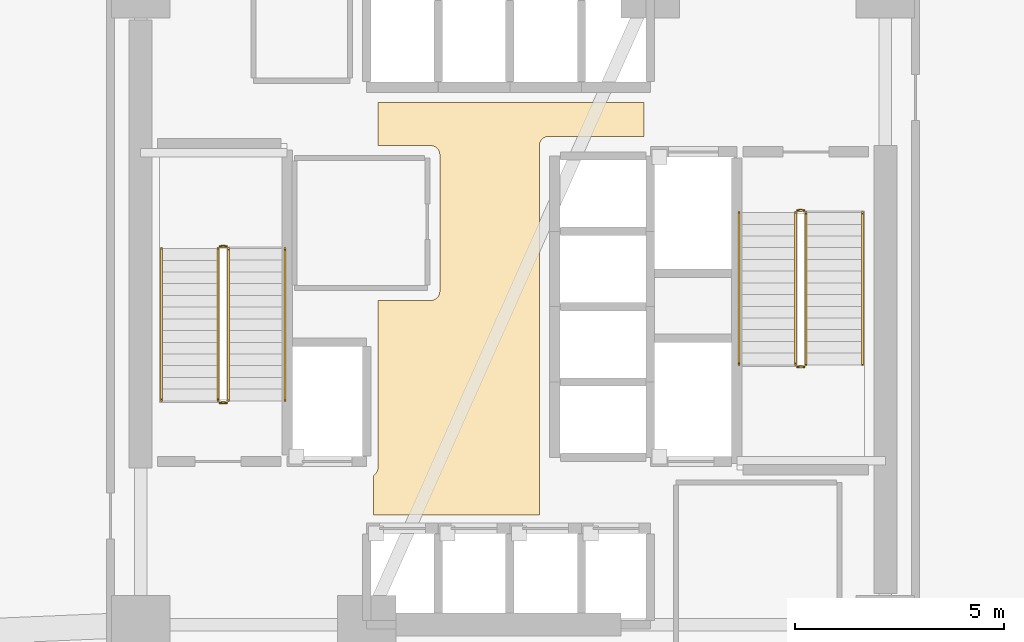
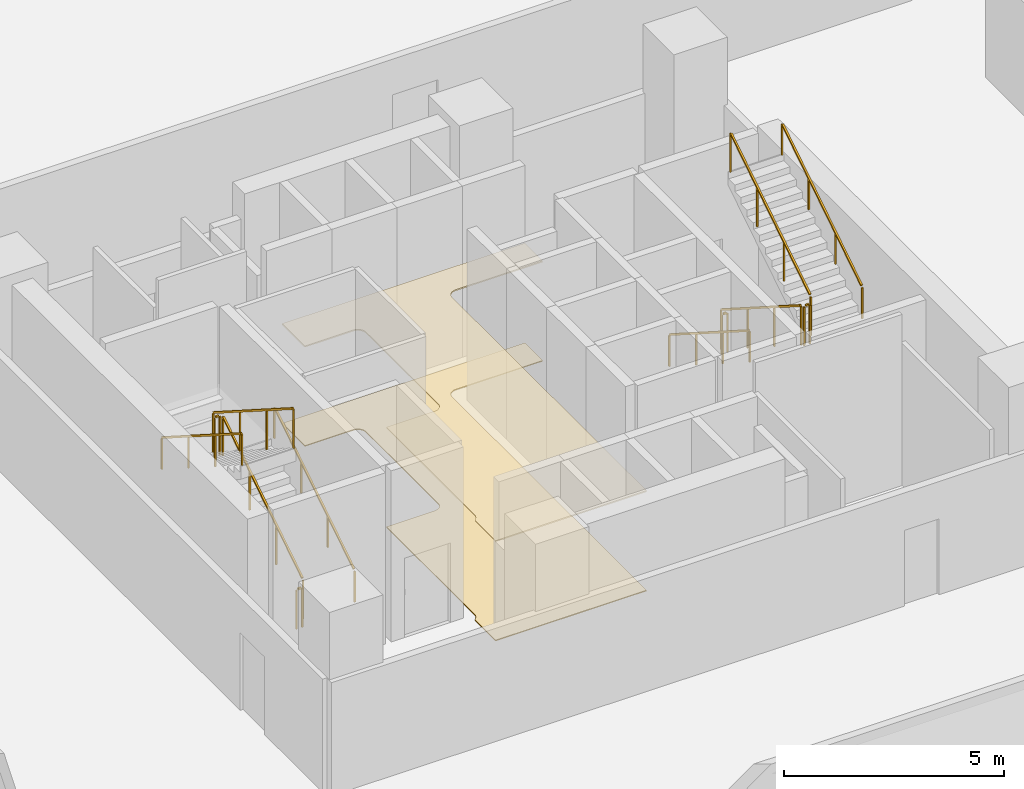
# One storey, part 18 of 20: 12 railings, 2 coverings.
"""IFC4 building model written with IfcOpenShell, lengths in metres."""

from ifc_helpers import new_model, si_unit, direction, frame, origin, origin_2d, place, context, subcontext, project, spatial, polyline, rectangle, outline, extrude, material, layer, layer_set, type_object, element, save


model = new_model("IFC4")

# Units and contexts
model_context = context("Model", 3, precision=1e-05, world=origin(), true_north=direction((0.0, 1.0)))
body_context = subcontext(model_context, "Body", "Model", "MODEL_VIEW")
ifc_project = project(units=[si_unit("LENGTHUNIT", "METRE"), si_unit("AREAUNIT", "SQUARE_METRE"), si_unit("VOLUMEUNIT", "CUBIC_METRE"), si_unit("PLANEANGLEUNIT", "RADIAN"), si_unit("MASSUNIT", "GRAM", prefix="KILO")], contexts=[model_context])

# Site, building, storey
site_placement = place(None, origin())
site = spatial("IfcSite", under=ifc_project, at=site_placement, CompositionType="ELEMENT")
building_placement = place(site_placement, origin())
building = spatial("IfcBuilding", under=site, at=building_placement, Name="Tharavind Bronze Gate", CompositionType="ELEMENT")
storey_placement = place(building_placement, frame((0.0, 0.0, 16.5)))
storey = spatial("IfcBuildingStorey", under=building, at=storey_placement, Name="L03", CompositionType="ELEMENT", Elevation=16.5)

# Coverings
ifc_material_1 = material(Name="Perforated Bronze Acoustic Panel", Category="bronze")
ifc_layer_1 = layer(ifc_material_1, 0.044921875)
ifc_layer_set_1 = layer_set([ifc_layer_1], Name="Perforated Bronze Acoustic Panel")
covering_type_1 = type_object("IfcCoveringType", Name="ACOUSTIC BRONZE BAFFLE CEILING", PredefinedType="CEILING", material=ifc_layer_set_1)
covering_1_placement = place(storey_placement, frame((0.0, 0.0, 2.75)))
element("IfcCovering", 1, at=covering_1_placement, inside=storey, type_object=covering_type_1, Name="L03-C-LL suspended ceiling", PredefinedType="CEILING", context=body_context, shape_type="SweptSolid", body=[
    extrude(outline(polyline([(-3.330078125, -4.97998046875), (0.6298828125, -4.97998046875), (0.6298828125, 3.85009765625), (0.631103515625, 3.87158203125), (0.63427734375, 3.892822265625), (0.639404296875, 3.913818359375), (0.646728515625, 3.93408203125), (0.656005859375, 3.95361328125), (0.6669921875, 3.97216796875), (0.679931640625, 3.989501953125), (0.6943359375, 4.005615234375), (0.71044921875, 4.02001953125), (0.727783203125, 4.032958984375), (0.746337890625, 4.0439453125), (0.765869140625, 4.05322265625), (0.7861328125, 4.060546875), (0.80712890625, 4.06591796875), (0.828369140625, 4.06884765625), (0.85009765625, 4.070068359375), (3.1298828125, 4.070068359375), (3.1298828125, 4.8798828125), (-3.22998046875, 4.8798828125), (-3.22998046875, 3.85009765625), (-1.969970703125, 3.85009765625), (-1.948486328125, 3.848876953125), (-1.927001953125, 3.845703125), (-1.906005859375, 3.840576171875), (-1.8857421875, 3.833251953125), (-1.8662109375, 3.823974609375), (-1.847900390625, 3.81298828125), (-1.830322265625, 3.800048828125), (-1.814453125, 3.78564453125), (-1.7998046875, 3.76953125), (-1.787109375, 3.752197265625), (-1.77587890625, 3.733642578125), (-1.7666015625, 3.714111328125), (-1.759521484375, 3.69384765625), (-1.754150390625, 3.6728515625), (-1.751220703125, 3.651611328125), (-1.75, 3.6298828125), (-1.75, 0.3701171875), (-1.751220703125, 0.348388671875), (-1.754150390625, 0.3271484375), (-1.759521484375, 0.30615234375), (-1.7666015625, 0.285888671875), (-1.77587890625, 0.266357421875), (-1.787109375, 0.247802734375), (-1.7998046875, 0.23046875), (-1.814453125, 0.21435546875), (-1.830322265625, 0.199951171875), (-1.847900390625, 0.18701171875), (-1.8662109375, 0.176025390625), (-1.8857421875, 0.166748046875), (-1.906005859375, 0.159423828125), (-1.927001953125, 0.154296875), (-1.948486328125, 0.151123046875), (-1.969970703125, 0.14990234375), (-3.22998046875, 0.14990234375), (-3.22998046875, -3.85009765625), (-3.231201171875, -3.87158203125), (-3.234130859375, -3.892822265625), (-3.239501953125, -3.913818359375), (-3.24658203125, -3.93408203125), (-3.256103515625, -3.95361328125), (-3.26708984375, -3.97216796875), (-3.27978515625, -3.989501953125), (-3.29443359375, -4.005615234375), (-3.310302734375, -4.02001953125), (-3.327880859375, -4.032958984375), (-3.330078125, -4.0341796875), (-3.330078125, -4.97998046875)])), origin(), (0.0, 0.0, 1.0), 0.034912109375),
])
ifc_material_2 = material(Name="Honed Travertine Limestone", Category="masonry")
ifc_layer_2 = layer(ifc_material_2, 0.030029296875)
ifc_layer_set_2 = layer_set([ifc_layer_2], Name="Honed Travertine Limestone")
covering_type_2 = type_object("IfcCoveringType", Name="HONED LIMESTONE FLOORING", PredefinedType="FLOORING", material=ifc_layer_set_2)
covering_2_placement = place(storey_placement, origin())
element("IfcCovering", 2, at=covering_2_placement, inside=storey, type_object=covering_type_2, Name="L03-C-LL floor finish", PredefinedType="FLOORING", context=body_context, shape_type="SweptSolid", body=[
    extrude(outline(polyline([(-3.330078125, -4.97998046875), (0.6298828125, -4.97998046875), (0.6298828125, 3.85009765625), (0.631103515625, 3.87158203125), (0.63427734375, 3.892822265625), (0.639404296875, 3.913818359375), (0.646728515625, 3.93408203125), (0.656005859375, 3.95361328125), (0.6669921875, 3.97216796875), (0.679931640625, 3.989501953125), (0.6943359375, 4.005615234375), (0.71044921875, 4.02001953125), (0.727783203125, 4.032958984375), (0.746337890625, 4.0439453125), (0.765869140625, 4.05322265625), (0.7861328125, 4.060546875), (0.80712890625, 4.06591796875), (0.828369140625, 4.06884765625), (0.85009765625, 4.070068359375), (3.1298828125, 4.070068359375), (3.1298828125, 4.8798828125), (-3.22998046875, 4.8798828125), (-3.22998046875, 3.85009765625), (-1.969970703125, 3.85009765625), (-1.948486328125, 3.848876953125), (-1.927001953125, 3.845703125), (-1.906005859375, 3.840576171875), (-1.8857421875, 3.833251953125), (-1.8662109375, 3.823974609375), (-1.847900390625, 3.81298828125), (-1.830322265625, 3.800048828125), (-1.814453125, 3.78564453125), (-1.7998046875, 3.76953125), (-1.787109375, 3.752197265625), (-1.77587890625, 3.733642578125), (-1.7666015625, 3.714111328125), (-1.759521484375, 3.69384765625), (-1.754150390625, 3.6728515625), (-1.751220703125, 3.651611328125), (-1.75, 3.6298828125), (-1.75, 0.3701171875), (-1.751220703125, 0.348388671875), (-1.754150390625, 0.3271484375), (-1.759521484375, 0.30615234375), (-1.7666015625, 0.285888671875), (-1.77587890625, 0.266357421875), (-1.787109375, 0.247802734375), (-1.7998046875, 0.23046875), (-1.814453125, 0.21435546875), (-1.830322265625, 0.199951171875), (-1.847900390625, 0.18701171875), (-1.8662109375, 0.176025390625), (-1.8857421875, 0.166748046875), (-1.906005859375, 0.159423828125), (-1.927001953125, 0.154296875), (-1.948486328125, 0.151123046875), (-1.969970703125, 0.14990234375), (-3.22998046875, 0.14990234375), (-3.22998046875, -3.85009765625), (-3.231201171875, -3.87158203125), (-3.234130859375, -3.892822265625), (-3.239501953125, -3.913818359375), (-3.24658203125, -3.93408203125), (-3.256103515625, -3.95361328125), (-3.26708984375, -3.97216796875), (-3.27978515625, -3.989501953125), (-3.29443359375, -4.005615234375), (-3.310302734375, -4.02001953125), (-3.327880859375, -4.032958984375), (-3.330078125, -4.0341796875), (-3.330078125, -4.97998046875)])), origin(), (0.0, 0.0, 1.0), 0.02490234375),
])

# Railings
ifc_material_3 = material(Name="Brushed Bronze Alloy", Category="metal")
railing_type_1 = type_object("IfcRailingType", Name="STAIR BRONZE HANDRAIL 900", PredefinedType="HANDRAIL", material=ifc_material_3)
railing_1_placement = place(storey_placement, frame((-5.449951171875, -2.25, 0.178466796875)))
element("IfcRailing", 3, at=railing_1_placement, inside=storey, type_object=railing_type_1, Name="L03 ST1 stair handrail 1", PredefinedType="HANDRAIL", context=body_context, shape_type="SweptSolid", body=[
    extrude(rectangle(XDim=0.048095703125, YDim=0.048095703125, at=origin_2d()), frame((0.0, 0.027099609375, 0.89306640625), z_axis=(0.0, 0.843111507901, 0.53773877045), x_axis=(-1.0, 0.0, 0.0)), (0.0, 0.0, 1.0), 4.253173828125),
    extrude(rectangle(XDim=0.0400390625, YDim=0.0400390625, at=origin_2d()), origin(), (0.0, 0.0, 1.0), 0.847900390625),
    extrude(rectangle(XDim=0.0400390625, YDim=0.0400390625, at=origin_2d()), frame((0.0, 1.21337890625, 0.77392578125)), (0.0, 0.0, 1.0), 0.847900390625),
    extrude(rectangle(XDim=0.0400390625, YDim=0.0400390625, at=origin_2d()), frame((0.0, 2.426513671875, 1.547607421875)), (0.0, 0.0, 1.0), 0.847900390625),
    extrude(rectangle(XDim=0.0400390625, YDim=0.0400390625, at=origin_2d()), frame((0.0, 3.639892578125, 2.321533203125)), (0.0, 0.0, 1.0), 0.847900390625),
])
for number, where, name in (
    (4, (-8.39990234375, 1.389892578125, 2.678466796875), "L03 ST1 stair handrail 2"),
    (5, (5.39990234375, 2.25, 0.178466796875), "L03 ST2 stair handrail 1"),
):
    element("IfcRailing", number, at=place(storey_placement, frame(where)), inside=storey, type_object=railing_type_1, Name=name, PredefinedType="HANDRAIL", context=body_context, shape_type="SweptSolid", body=[
        extrude(rectangle(XDim=0.048095703125, YDim=0.048095703125, at=origin_2d()), frame((0.0, -0.027099609375, 0.89306640625), z_axis=(0.0, -0.843111507901, 0.53773877045), x_axis=(1.0, 0.0, 0.0)), (0.0, 0.0, 1.0), 4.253173828125),
        extrude(rectangle(XDim=0.0400390625, YDim=0.0400390625, at=origin_2d()), origin(), (0.0, 0.0, 1.0), 0.847900390625),
        extrude(rectangle(XDim=0.0400390625, YDim=0.0400390625, at=origin_2d()), frame((0.0, -1.21337890625, 0.77392578125)), (0.0, 0.0, 1.0), 0.847900390625),
        extrude(rectangle(XDim=0.0400390625, YDim=0.0400390625, at=origin_2d()), frame((0.0, -2.426513671875, 1.547607421875)), (0.0, 0.0, 1.0), 0.847900390625),
        extrude(rectangle(XDim=0.0400390625, YDim=0.0400390625, at=origin_2d()), frame((0.0, -3.639892578125, 2.321533203125)), (0.0, 0.0, 1.0), 0.847900390625),
    ])
railing_2_placement = place(storey_placement, frame((8.35009765625, -1.389892578125, 2.678466796875)))
element("IfcRailing", 6, at=railing_2_placement, inside=storey, type_object=railing_type_1, Name="L03 ST2 stair handrail 2", PredefinedType="HANDRAIL", context=body_context, shape_type="SweptSolid", body=[
    extrude(rectangle(XDim=0.048095703125, YDim=0.048095703125, at=origin_2d()), frame((0.0, 0.027099609375, 0.89306640625), z_axis=(0.0, 0.843111507901, 0.53773877045), x_axis=(-1.0, 0.0, 0.0)), (0.0, 0.0, 1.0), 4.253173828125),
    extrude(rectangle(XDim=0.0400390625, YDim=0.0400390625, at=origin_2d()), origin(), (0.0, 0.0, 1.0), 0.847900390625),
    extrude(rectangle(XDim=0.0400390625, YDim=0.0400390625, at=origin_2d()), frame((0.0, 1.21337890625, 0.77392578125)), (0.0, 0.0, 1.0), 0.847900390625),
    extrude(rectangle(XDim=0.0400390625, YDim=0.0400390625, at=origin_2d()), frame((0.0, 2.426513671875, 1.547607421875)), (0.0, 0.0, 1.0), 0.847900390625),
    extrude(rectangle(XDim=0.0400390625, YDim=0.0400390625, at=origin_2d()), frame((0.0, 3.639892578125, 2.321533203125)), (0.0, 0.0, 1.0), 0.847900390625),
])
railing_type_2 = type_object("IfcRailingType", Name="STAIR WELL GUARD RAILING 1120", PredefinedType="GUARDRAIL", material=ifc_material_3)
railing_3_placement = place(storey_placement, frame((-6.800048828125, -2.25, 0.178466796875)))
element("IfcRailing", 7, at=railing_3_placement, inside=storey, type_object=railing_type_2, Name="L03 ST1 stair guard 1", PredefinedType="GUARDRAIL", context=body_context, shape_type="SweptSolid", body=[
    extrude(rectangle(XDim=0.048095703125, YDim=0.048095703125, at=origin_2d()), frame((0.0, 0.027099609375, 1.11328125), z_axis=(0.0, 0.843111507901, 0.53773877045), x_axis=(-1.0, 0.0, 0.0)), (0.0, 0.0, 1.0), 4.253173828125),
    extrude(rectangle(XDim=0.0400390625, YDim=0.0400390625, at=origin_2d()), origin(), (0.0, 0.0, 1.0), 1.068115234375),
    extrude(rectangle(XDim=0.0400390625, YDim=0.0400390625, at=origin_2d()), frame((0.0, 1.21337890625, 0.77392578125)), (0.0, 0.0, 1.0), 1.068115234375),
    extrude(rectangle(XDim=0.0400390625, YDim=0.0400390625, at=origin_2d()), frame((0.0, 2.426513671875, 1.547607421875)), (0.0, 0.0, 1.0), 1.068115234375),
    extrude(rectangle(XDim=0.0400390625, YDim=0.0400390625, at=origin_2d()), frame((0.0, 3.639892578125, 2.321533203125)), (0.0, 0.0, 1.0), 1.068115234375),
])
railing_4_placement = place(storey_placement, frame((-6.85009765625, 1.43994140625, 2.5)))
element("IfcRailing", 8, at=railing_4_placement, inside=storey, type_object=railing_type_2, Name="L03 ST1 stair guard 2", PredefinedType="GUARDRAIL", context=body_context, shape_type="SweptSolid", body=[
    extrude(rectangle(XDim=0.048095703125, YDim=0.048095703125, at=origin_2d()), frame((-0.031982421875, 0.0, 1.09619140625), z_axis=(-1.0, 0.0, 0.0), x_axis=(0.0, -1.0, 0.0)), (0.0, 0.0, 1.0), 0.0859375),
    extrude(rectangle(XDim=0.0400390625, YDim=0.0400390625, at=origin_2d()), origin(), (0.0, 0.0, 1.0), 1.068115234375),
    extrude(rectangle(XDim=0.0400390625, YDim=0.0400390625, at=origin_2d()), frame((-0.14990234375, 0.0, 0.0)), (0.0, 0.0, 1.0), 1.068115234375),
])
railing_5_placement = place(storey_placement, frame((-7.050048828125, 1.389892578125, 2.678466796875)))
element("IfcRailing", 9, at=railing_5_placement, inside=storey, type_object=railing_type_2, Name="L03 ST1 stair guard 3", PredefinedType="GUARDRAIL", context=body_context, shape_type="SweptSolid", body=[
    extrude(rectangle(XDim=0.048095703125, YDim=0.048095703125, at=origin_2d()), frame((0.0, -0.027099609375, 1.11328125), z_axis=(0.0, -0.843111507901, 0.53773877045), x_axis=(1.0, 0.0, 0.0)), (0.0, 0.0, 1.0), 4.253173828125),
    extrude(rectangle(XDim=0.0400390625, YDim=0.0400390625, at=origin_2d()), origin(), (0.0, 0.0, 1.0), 1.068115234375),
    extrude(rectangle(XDim=0.0400390625, YDim=0.0400390625, at=origin_2d()), frame((0.0, -1.21337890625, 0.77392578125)), (0.0, 0.0, 1.0), 1.068115234375),
    extrude(rectangle(XDim=0.0400390625, YDim=0.0400390625, at=origin_2d()), frame((0.0, -2.426513671875, 1.547607421875)), (0.0, 0.0, 1.0), 1.068115234375),
    extrude(rectangle(XDim=0.0400390625, YDim=0.0400390625, at=origin_2d()), frame((0.0, -3.639892578125, 2.321533203125)), (0.0, 0.0, 1.0), 1.068115234375),
])
railing_6_placement = place(storey_placement, frame((-6.85009765625, -2.300048828125, 0.0)))
element("IfcRailing", 10, at=railing_6_placement, inside=storey, type_object=railing_type_2, Name="L03 ST1 stair guard 4", PredefinedType="GUARDRAIL", context=body_context, shape_type="SweptSolid", body=[
    extrude(rectangle(XDim=0.048095703125, YDim=0.048095703125, at=origin_2d()), frame((-0.031982421875, 0.0, 1.09619140625), z_axis=(-1.0, 0.0, 0.0), x_axis=(0.0, -1.0, 0.0)), (0.0, 0.0, 1.0), 0.0859375),
    extrude(rectangle(XDim=0.0400390625, YDim=0.0400390625, at=origin_2d()), origin(), (0.0, 0.0, 1.0), 1.068115234375),
    extrude(rectangle(XDim=0.0400390625, YDim=0.0400390625, at=origin_2d()), frame((-0.14990234375, 0.0, 0.0)), (0.0, 0.0, 1.0), 1.068115234375),
])
railing_7_placement = place(storey_placement, frame((6.75, 2.25, 0.178466796875)))
element("IfcRailing", 11, at=railing_7_placement, inside=storey, type_object=railing_type_2, Name="L03 ST2 stair guard 1", PredefinedType="GUARDRAIL", context=body_context, shape_type="SweptSolid", body=[
    extrude(rectangle(XDim=0.048095703125, YDim=0.048095703125, at=origin_2d()), frame((0.0, -0.027099609375, 1.11328125), z_axis=(0.0, -0.843111507901, 0.53773877045), x_axis=(1.0, 0.0, 0.0)), (0.0, 0.0, 1.0), 4.253173828125),
    extrude(rectangle(XDim=0.0400390625, YDim=0.0400390625, at=origin_2d()), origin(), (0.0, 0.0, 1.0), 1.068115234375),
    extrude(rectangle(XDim=0.0400390625, YDim=0.0400390625, at=origin_2d()), frame((0.0, -1.21337890625, 0.77392578125)), (0.0, 0.0, 1.0), 1.068115234375),
    extrude(rectangle(XDim=0.0400390625, YDim=0.0400390625, at=origin_2d()), frame((0.0, -2.426513671875, 1.547607421875)), (0.0, 0.0, 1.0), 1.068115234375),
    extrude(rectangle(XDim=0.0400390625, YDim=0.0400390625, at=origin_2d()), frame((0.0, -3.639892578125, 2.321533203125)), (0.0, 0.0, 1.0), 1.068115234375),
])
railing_8_placement = place(storey_placement, frame((6.800048828125, -1.43994140625, 2.5)))
element("IfcRailing", 12, at=railing_8_placement, inside=storey, type_object=railing_type_2, Name="L03 ST2 stair guard 2", PredefinedType="GUARDRAIL", context=body_context, shape_type="SweptSolid", body=[
    extrude(rectangle(XDim=0.048095703125, YDim=0.048095703125, at=origin_2d()), frame((0.031982421875, 0.0, 1.09619140625), z_axis=(1.0, 0.0, 0.0), x_axis=(0.0, 1.0, 0.0)), (0.0, 0.0, 1.0), 0.0859375),
    extrude(rectangle(XDim=0.0400390625, YDim=0.0400390625, at=origin_2d()), origin(), (0.0, 0.0, 1.0), 1.068115234375),
    extrude(rectangle(XDim=0.0400390625, YDim=0.0400390625, at=origin_2d()), frame((0.14990234375, 0.0, 0.0)), (0.0, 0.0, 1.0), 1.068115234375),
])
railing_9_placement = place(storey_placement, frame((7.0, -1.389892578125, 2.678466796875)))
element("IfcRailing", 13, at=railing_9_placement, inside=storey, type_object=railing_type_2, Name="L03 ST2 stair guard 3", PredefinedType="GUARDRAIL", context=body_context, shape_type="SweptSolid", body=[
    extrude(rectangle(XDim=0.048095703125, YDim=0.048095703125, at=origin_2d()), frame((0.0, 0.027099609375, 1.11328125), z_axis=(0.0, 0.843111507901, 0.53773877045), x_axis=(-1.0, 0.0, 0.0)), (0.0, 0.0, 1.0), 4.253173828125),
    extrude(rectangle(XDim=0.0400390625, YDim=0.0400390625, at=origin_2d()), origin(), (0.0, 0.0, 1.0), 1.068115234375),
    extrude(rectangle(XDim=0.0400390625, YDim=0.0400390625, at=origin_2d()), frame((0.0, 1.21337890625, 0.77392578125)), (0.0, 0.0, 1.0), 1.068115234375),
    extrude(rectangle(XDim=0.0400390625, YDim=0.0400390625, at=origin_2d()), frame((0.0, 2.426513671875, 1.547607421875)), (0.0, 0.0, 1.0), 1.068115234375),
    extrude(rectangle(XDim=0.0400390625, YDim=0.0400390625, at=origin_2d()), frame((0.0, 3.639892578125, 2.321533203125)), (0.0, 0.0, 1.0), 1.068115234375),
])
railing_10_placement = place(storey_placement, frame((6.800048828125, 2.300048828125, 0.0)))
element("IfcRailing", 14, at=railing_10_placement, inside=storey, type_object=railing_type_2, Name="L03 ST2 stair guard 4", PredefinedType="GUARDRAIL", context=body_context, shape_type="SweptSolid", body=[
    extrude(rectangle(XDim=0.048095703125, YDim=0.048095703125, at=origin_2d()), frame((0.031982421875, 0.0, 1.09619140625), z_axis=(1.0, 0.0, 0.0), x_axis=(0.0, 1.0, 0.0)), (0.0, 0.0, 1.0), 0.0859375),
    extrude(rectangle(XDim=0.0400390625, YDim=0.0400390625, at=origin_2d()), origin(), (0.0, 0.0, 1.0), 1.068115234375),
    extrude(rectangle(XDim=0.0400390625, YDim=0.0400390625, at=origin_2d()), frame((0.14990234375, 0.0, 0.0)), (0.0, 0.0, 1.0), 1.068115234375),
])

save(model, "model.ifc")
